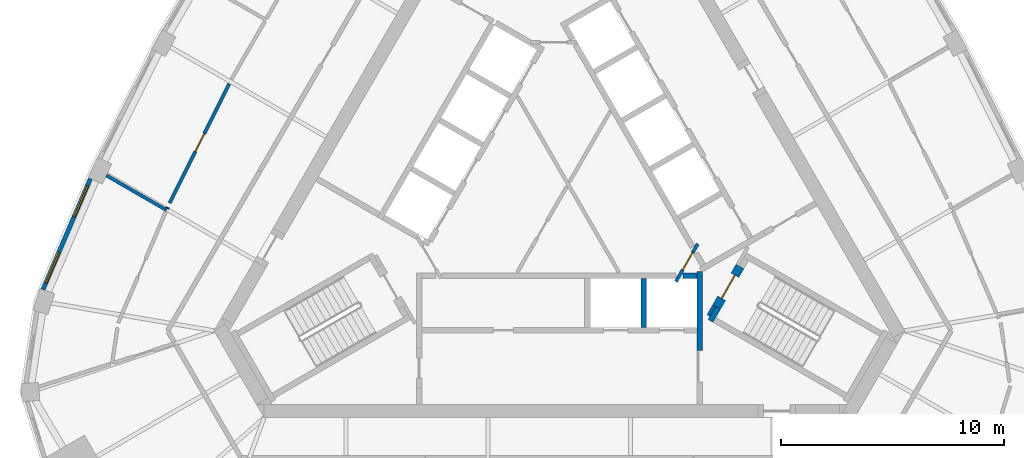
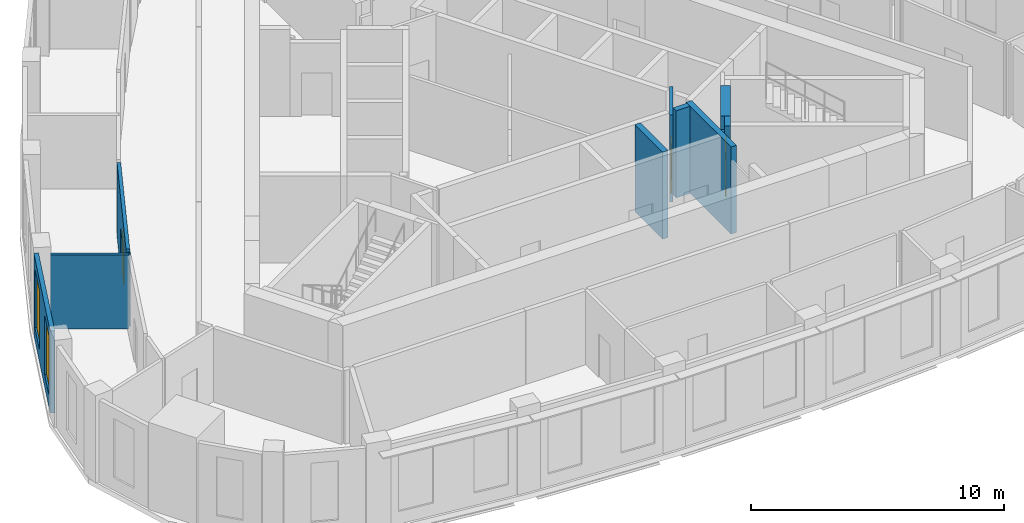
# One storey, part 4 of 10: 11 walls, 3 doors, 2 windows, 5 openings.
"""IFC4 building model written with IfcOpenShell, lengths in metres."""

import ifcopenshell
import ifcopenshell.guid

model = None  # the IFC model being written
_history = None  # IfcOwnerHistory: only IFC2X3 demands one
_inside = {}  # id of a spatial element -> (the spatial element, [elements in it])
_under = {}  # id of a project, library or spatial element -> (it, [spatial elements below it])
_declared = {}  # id of a project -> (the project, [libraries it declares])
_typed = {}  # id of a type object -> (the type object, [elements of that type])
_made_of = {}  # id of a material, layer set ... -> (it, [elements and type objects made of it])


def new_model(schema):
    """Start an empty IFC model of exactly this schema.

    Asked for "IFC4X3", IfcOpenShell would pick the latest addendum, in which some entities
    have other attributes; the version numbers below select the first issue.
    IFC2X3 requires an IfcOwnerHistory on every rooted entity: one is made here for all.
    """
    global model, _history
    if schema == "IFC4X3":
        model = ifcopenshell.file(schema_version=(4, 3, 0, 0))
    else:
        model = ifcopenshell.file(schema=schema)
    _inside.clear()
    _under.clear()
    _declared.clear()
    _typed.clear()
    _made_of.clear()
    _history = None
    if model.schema == "IFC2X3":
        org = make("IfcOrganization", Name="unknown")
        user = make(
            "IfcPersonAndOrganization",
            ThePerson=make("IfcPerson", FamilyName="unknown"),
            TheOrganization=org,
        )
        app = make(
            "IfcApplication",
            ApplicationDeveloper=org,
            Version="unknown",
            ApplicationFullName="unknown",
            ApplicationIdentifier="unknown",
        )
        _history = make(
            "IfcOwnerHistory",
            OwningUser=user,
            OwningApplication=app,
            ChangeAction="ADDED",
            CreationDate=0,
        )
    return model


def make(cls, **values):
    """One entity of the class cls with the attributes given. An attribute that is None is left unset."""
    return model.create_entity(
        cls, **{name: value for name, value in values.items() if value is not None}
    )


def rooted(cls, **values):
    """An entity with a GlobalId (a new one), such as an element, a storey or a relation."""
    return make(cls, GlobalId=ifcopenshell.guid.new(), OwnerHistory=_history, **values)


def si_unit(unit_type, name, prefix=None):
    """IfcSIUnit, for example si_unit("LENGTHUNIT", "METRE", prefix="MILLI")."""
    return make("IfcSIUnit", UnitType=unit_type, Prefix=prefix, Name=name)


def assignment(units):
    """IfcUnitAssignment: the units of a project."""
    return None if units is None else make("IfcUnitAssignment", Units=units)


def point(xyz):
    """IfcCartesianPoint."""
    return None if xyz is None else make("IfcCartesianPoint", Coordinates=xyz)


def direction(xyz):
    """IfcDirection."""
    return None if xyz is None else make("IfcDirection", DirectionRatios=xyz)


def frame(location, z_axis=None, x_axis=None):
    """IfcAxis2Placement3D, a coordinate frame: its origin and axes. An axis left out is left unset."""
    return make(
        "IfcAxis2Placement3D",
        Location=point(location),
        Axis=direction(z_axis),
        RefDirection=direction(x_axis),
    )


def frame_2d(location, x_axis=None):
    """IfcAxis2Placement2D, a coordinate frame in the plane: its origin and x axis."""
    return make(
        "IfcAxis2Placement2D", Location=point(location), RefDirection=direction(x_axis)
    )


def origin():
    """The frame at (0, 0, 0) with its axes left unset."""
    return frame((0.0, 0.0, 0.0))


def place(relative_to, where):
    """IfcLocalPlacement: puts the frame where relative to a parent placement (None: the world)."""
    return make(
        "IfcLocalPlacement", PlacementRelTo=relative_to, RelativePlacement=where
    )


def context(
    kind, dimensions, precision=None, world=None, true_north=None, identifier=None
):
    """IfcGeometricRepresentationContext, for example the 3D "Model" context."""
    return make(
        "IfcGeometricRepresentationContext",
        ContextIdentifier=identifier,
        ContextType=kind,
        CoordinateSpaceDimension=dimensions,
        Precision=precision,
        WorldCoordinateSystem=world,
        TrueNorth=true_north,
    )


def subcontext(parent, identifier, kind, view, scale=None):
    """IfcGeometricRepresentationSubContext, for example "Body" below "Model"."""
    return make(
        "IfcGeometricRepresentationSubContext",
        ContextIdentifier=identifier,
        ContextType=kind,
        ParentContext=parent,
        TargetScale=scale,
        TargetView=view,
    )


def project(units=None, contexts=None):
    """IfcProject with its units and contexts."""
    return rooted(
        "IfcProject",
        Name="project",
        RepresentationContexts=contexts,
        UnitsInContext=assignment(units),
    )


def spatial(cls, under=None, at=None, **own):
    """A site, building, storey or space (cls), placed at a placement, below another one or the project."""
    s = rooted(cls, ObjectPlacement=at, **own)
    if under is not None:
        _under.setdefault(under.id(), (under, []))[1].append(s)
    return s


def profile(cls, at=None, kind="AREA", **sizes):
    """A parametric profile (cls). Its sizes go by their IFC names, for example OverallWidth=200.0."""
    return make(cls, ProfileType=kind, Position=at, **sizes)


def rectangle(**sizes):
    """IfcRectangleProfileDef."""
    return profile("IfcRectangleProfileDef", **sizes)


def extrude(swept, where, along, depth):
    """IfcExtrudedAreaSolid: the profile swept, set in the frame where, extruded along a direction by depth."""
    return make(
        "IfcExtrudedAreaSolid",
        SweptArea=swept,
        Position=where,
        ExtrudedDirection=direction(along),
        Depth=depth,
    )


def shape(context_of_items, identifier, shape_type, items):
    """IfcShapeRepresentation: the items that make up one representation, for example the "Body"."""
    return make(
        "IfcShapeRepresentation",
        ContextOfItems=context_of_items,
        RepresentationIdentifier=identifier,
        RepresentationType=shape_type,
        Items=items,
    )


def material(Name=None, Category=None):
    """IfcMaterial."""
    return make("IfcMaterial", Name=Name, Category=Category)


def layer(
    of_material, thickness, ventilated=None, Name=None, Category=None, Priority=None
):
    """IfcMaterialLayer: one layer of a wall or slab, of a material (None: an air gap)."""
    return make(
        "IfcMaterialLayer",
        Material=of_material,
        LayerThickness=thickness,
        IsVentilated=ventilated,
        Name=Name,
        Category=Category,
        Priority=Priority,
    )


def layer_set(layers, Name=None):
    """IfcMaterialLayerSet."""
    return make("IfcMaterialLayerSet", MaterialLayers=layers, LayerSetName=Name)


def made_of(thing, what):
    """Note that an element or type object is made of a material, layer set ...; save() writes the relation."""
    if what is not None:
        _made_of.setdefault(what.id(), (what, []))[1].append(thing)
    return thing


def type_object(cls, material=None, **own):
    """A type object (cls), such as IfcWallType, which elements share."""
    return made_of(rooted(cls, **own), material)


def element(
    cls,
    number,
    at=None,
    inside=None,
    cuts=None,
    type_object=None,
    material=None,
    context=None,
    identifier="Body",
    shape_type=None,
    held_by="IfcProductDefinitionShape",
    body=None,
    shapes=None,
    **own,
):
    """One element of the class cls, such as IfcWall. Its Tag is "e" and its number.

    at: its placement. inside: the storey or other place that contains it. cuts: it is an
    opening in that element (IfcRelVoidsElement). A single representation is given by context,
    identifier, shape_type and body (its items); several are given by shapes. held_by: the class
    of the entity that holds the representations. save() writes the other relations.
    """
    e = rooted(cls, Tag="e%d" % number, ObjectPlacement=at, **own)
    if body is not None:
        shapes = [shape(context, identifier, shape_type, body)]
    if shapes is not None:
        e.Representation = make(held_by, Representations=shapes)
    if inside is not None:
        _inside.setdefault(inside.id(), (inside, []))[1].append(e)
    if cuts is not None:
        rooted(
            "IfcRelVoidsElement", RelatingBuildingElement=cuts, RelatedOpeningElement=e
        )
    if type_object is not None:
        _typed.setdefault(type_object.id(), (type_object, []))[1].append(e)
    return made_of(e, material)


def fill(opening, filler):
    """IfcRelFillsElement: the door or window that sits in an opening."""
    return rooted(
        "IfcRelFillsElement",
        RelatingOpeningElement=opening,
        RelatedBuildingElement=filler,
    )


def aggregate(whole, parts):
    """IfcRelAggregates: a whole, such as a stair, and the parts it consists of."""
    return rooted("IfcRelAggregates", RelatingObject=whole, RelatedObjects=parts)


def save(model, path):
    """Write the relations noted so far, then the file.

    IfcRelAggregates (storeys below a building ...), IfcRelContainedInSpatialStructure (elements
    in a storey), IfcRelDefinesByType, IfcRelAssociatesMaterial and IfcRelDeclares: one each for
    every whole, place, type object, material and project.
    """
    for whole, parts in _under.values():
        aggregate(whole, parts)
    for where, things in _inside.values():
        rooted(
            "IfcRelContainedInSpatialStructure",
            RelatedElements=things,
            RelatingStructure=where,
        )
    for kind, things in _typed.values():
        rooted("IfcRelDefinesByType", RelatedObjects=things, RelatingType=kind)
    for what, things in _made_of.values():
        rooted("IfcRelAssociatesMaterial", RelatedObjects=things, RelatingMaterial=what)
    for by, libraries in _declared.values():
        rooted("IfcRelDeclares", RelatingContext=by, RelatedDefinitions=libraries)
    model.write(path)


model = new_model("IFC4")

# Units and contexts
model_context = context("Model", 3, precision=1e-05, world=origin(), true_north=direction((0.0, 1.0)))
body_context = subcontext(model_context, "Body", "Model", "MODEL_VIEW")
ifc_project = project(units=[si_unit("LENGTHUNIT", "METRE"), si_unit("AREAUNIT", "SQUARE_METRE"), si_unit("VOLUMEUNIT", "CUBIC_METRE"), si_unit("PLANEANGLEUNIT", "RADIAN"), si_unit("MASSUNIT", "GRAM", prefix="KILO")], contexts=[model_context])

# Site, building, storey
site_placement = place(None, origin())
site = spatial("IfcSite", under=ifc_project, at=site_placement, CompositionType="ELEMENT")
building_placement = place(site_placement, origin())
building = spatial("IfcBuilding", under=site, at=building_placement, Name="Mestral Congress Tower", CompositionType="ELEMENT")
storey_placement = place(building_placement, frame((0.0, 0.0, 275.39990234375)))
storey = spatial("IfcBuildingStorey", under=building, at=storey_placement, Name="L64", CompositionType="ELEMENT", Elevation=275.39990234375)

# Wall
ifc_material_1 = material(Name="Fire-rated board partition")
ifc_layer_1 = layer(ifc_material_1, 0.14990234375)
ifc_layer_set_1 = layer_set([ifc_layer_1], Name="Fire-rated board partition")
wall_type_1 = type_object("IfcWallType", Name="Core partition 150", PredefinedType="PARTITIONING", material=ifc_layer_set_1)
wall_1_placement = place(storey_placement, frame((6.94482421875, -5.22216796875, 0.0), z_axis=(0.0, 0.0, 1.0), x_axis=(-0.499818422106, -0.866130212453, 0.0)))
element("IfcWall", 1, at=wall_1_placement, inside=storey, type_object=wall_type_1, Name="L64 core wall", PredefinedType="PARTITIONING", context=body_context, shape_type="SweptSolid", body=[
    extrude(rectangle(XDim=0.513916015625, YDim=0.14990234375, at=frame_2d((0.2568359375, 0.0))), origin(), (0.0, 0.0, 1.0), 3.550048828125),
])

# Wall, openings, windows
ifc_material_2 = material(Name="Precast concrete C40/50 with limestone facing", Category="masonry")
ifc_layer_2 = layer(ifc_material_2, 0.18994140625)
ifc_layer_set_2 = layer_set([ifc_layer_2], Name="Precast concrete C40/50 with limestone facing")
wall_type_2 = type_object("IfcWallType", Name="Facade stone wall 190", PredefinedType="SOLIDWALL", material=ifc_layer_set_2)
wall_2_placement = place(storey_placement, frame((-21.048828125, 0.477783203125, 0.0), z_axis=(0.0, 0.0, 1.0), x_axis=(-0.393347848476, -0.919389726992, 0.0)))
wall_2 = element("IfcWall", 2, at=wall_2_placement, inside=storey, type_object=wall_type_2, Name="Facade wall F2-04", PredefinedType="SOLIDWALL", context=body_context, shape_type="SweptSolid", body=[
    extrude(rectangle(XDim=5.414794921875, YDim=0.18994140625, at=frame_2d((2.70751953125, 0.0))), origin(), (0.0, 0.0, 1.0), 3.9501953125),
])
opening_1_placement = place(wall_2_placement, frame((0.357421875, 0.0, 0.60009765625)))
opening_1 = element("IfcOpeningElement", 3, at=opening_1_placement, cuts=wall_2, Name="Opening W6", PredefinedType="OPENING", context=body_context, shape_type="SweptSolid", body=[
    extrude(rectangle(XDim=1.5, YDim=2.85009765625, at=frame_2d((0.75, 1.425048828125))), frame((0.0, 0.10498046875, 0.0), z_axis=(0.0, -1.0, 0.0), x_axis=(1.0, 0.0, 0.0)), (0.0, 0.0, 1.0), 0.2099609375),
])
opening_2_placement = place(wall_2_placement, frame((3.592529296875, 0.0, 0.60009765625)))
opening_2 = element("IfcOpeningElement", 4, at=opening_2_placement, cuts=wall_2, Name="Opening W6", PredefinedType="OPENING", context=body_context, shape_type="SweptSolid", body=[
    extrude(rectangle(XDim=1.5, YDim=2.85009765625, at=frame_2d((0.75, 1.425048828125))), frame((0.0, 0.10498046875, 0.0), z_axis=(0.0, -1.0, 0.0), x_axis=(1.0, 0.0, 0.0)), (0.0, 0.0, 1.0), 0.2099609375),
])
ifc_material_3 = material(Name="Clear low-emissivity double glazing", Category="glass")
window_type = type_object("IfcWindowType", Name="Facade punched window 1500 x 2850 sill 600", PartitioningType="SINGLE_PANEL", PredefinedType="WINDOW", material=ifc_material_3)
window_1_placement = place(opening_1_placement, origin())
window_1 = element("IfcWindow", 5, at=window_1_placement, inside=storey, type_object=window_type, Name="Window F2-04a", OverallHeight=2.85009765625, OverallWidth=1.5, PartitioningType="SINGLE_PANEL", PredefinedType="WINDOW", context=body_context, shape_type="SweptSolid", body=[
    extrude(rectangle(XDim=1.5, YDim=2.85009765625, at=frame_2d((0.75, 1.425048828125))), frame((0.0, 0.044921875, 0.0), z_axis=(0.0, -1.0, 0.0), x_axis=(1.0, 0.0, 0.0)), (0.0, 0.0, 1.0), 0.06005859375),
])
fill(opening_1, window_1)
window_2_placement = place(opening_2_placement, origin())
window_2 = element("IfcWindow", 6, at=window_2_placement, inside=storey, type_object=window_type, Name="Window F2-04b", OverallHeight=2.85009765625, OverallWidth=1.5, PartitioningType="SINGLE_PANEL", PredefinedType="WINDOW", context=body_context, shape_type="SweptSolid", body=[
    extrude(rectangle(XDim=1.5, YDim=2.85009765625, at=frame_2d((0.75, 1.425048828125))), frame((0.0, 0.044921875, 0.0), z_axis=(0.0, -1.0, 0.0), x_axis=(1.0, 0.0, 0.0)), (0.0, 0.0, 1.0), 0.06005859375),
])
fill(opening_2, window_2)

# Wall
ifc_material_4 = material(Name="Plasterboard partition on steel studs", Category="steel")
ifc_layer_3 = layer(ifc_material_4, 0.14990234375)
ifc_layer_set_3 = layer_set([ifc_layer_3], Name="Plasterboard partition on steel studs")
wall_type_3 = type_object("IfcWallType", Name="Office partition 150", PredefinedType="PARTITIONING", material=ifc_layer_set_3)
wall_3_placement = place(storey_placement, frame((-17.634521484375, -0.935546875, 0.0), z_axis=(0.0, 0.0, 1.0), x_axis=(-0.866044607523, 0.499966736674, 0.0)))
element("IfcWall", 7, at=wall_3_placement, inside=storey, type_object=wall_type_3, Name="Partition", PredefinedType="PARTITIONING", context=body_context, shape_type="SweptSolid", body=[
    extrude(rectangle(XDim=3.114501953125, YDim=0.14990234375, at=frame_2d((1.55712890625, 0.0))), origin(), (0.0, 0.0, 1.0), 3.550048828125),
])

# Wall, opening, door
wall_4_placement = place(storey_placement, frame((-17.49658203125, -0.61328125, 0.0), z_axis=(0.0, 0.0, 1.0), x_axis=(0.447474899467, 0.894296491297, 0.0)))
wall_4 = element("IfcWall", 8, at=wall_4_placement, inside=storey, type_object=wall_type_3, Name="Partition", PredefinedType="PARTITIONING", context=body_context, shape_type="SweptSolid", body=[
    extrude(rectangle(XDim=5.979248046875, YDim=0.14990234375, at=frame_2d((2.98974609375, 0.0))), origin(), (0.0, 0.0, 1.0), 3.550048828125),
])
opening_3_placement = place(wall_4_placement, frame((2.57958984375, 0.0, 0.0)))
opening_3 = element("IfcOpeningElement", 9, at=opening_3_placement, cuts=wall_4, Name="Opening O11-016", PredefinedType="OPENING", context=body_context, shape_type="SweptSolid", body=[
    extrude(rectangle(XDim=0.89990234375, YDim=2.10009765625, at=frame_2d((0.449951171875, 1.050048828125))), frame((0.0, 0.0849609375, 0.0), z_axis=(0.0, -1.0, 0.0), x_axis=(1.0, 0.0, 0.0)), (0.0, 0.0, 1.0), 0.169921875),
])
ifc_material_5 = material(Name="Timber door set", Category="wood")
door_type_1 = type_object("IfcDoorType", Name="Office door 900x2100", OperationType="SINGLE_SWING_LEFT", PredefinedType="DOOR", material=ifc_material_5)
door_1_placement = place(opening_3_placement, origin())
door_1 = element("IfcDoor", 10, at=door_1_placement, inside=storey, type_object=door_type_1, Name="Door O11-016", OperationType="SINGLE_SWING_RIGHT", OverallHeight=2.10009765625, OverallWidth=0.89990234375, PredefinedType="DOOR", context=body_context, shape_type="SweptSolid", body=[
    extrude(rectangle(XDim=0.89990234375, YDim=2.10009765625, at=frame_2d((0.449951171875, 1.050048828125))), frame((0.0, 0.02490234375, 0.0), z_axis=(0.0, -1.0, 0.0), x_axis=(1.0, 0.0, 0.0)), (0.0, 0.0, 1.0), 0.050048828125),
])
fill(opening_3, door_1)

# Walls
wall_5_placement = place(storey_placement, frame((-17.5810546875, -0.810302734375, 0.0), z_axis=(0.0, 0.0, 1.0), x_axis=(-0.390033474923, -0.92080067791, 0.0)))
element("IfcWall", 11, at=wall_5_placement, inside=storey, type_object=wall_type_3, Name="Partition", PredefinedType="PARTITIONING", context=body_context, shape_type="SweptSolid", body=[
    extrude(rectangle(XDim=0.060791015625, YDim=0.14990234375, at=frame_2d((0.0302734375, 0.0))), origin(), (0.0, 0.0, 1.0), 3.550048828125),
])
ifc_material_6 = material(Name="Concrete C60/75", Category="concrete")
ifc_layer_4 = layer(ifc_material_6, 0.25)
ifc_layer_set_4 = layer_set([ifc_layer_4], Name="Concrete C60/75")
wall_type_4 = type_object("IfcWallType", Name="Shaft wall RC 250", PredefinedType="SOLIDWALL", material=ifc_layer_set_4)
wall_6_placement = place(storey_placement, frame((6.300048828125, -7.239990234375, 0.0), z_axis=(0.0, 0.0, 1.0), x_axis=(0.0, 1.0, 0.0)))
element("IfcWall", 12, at=wall_6_placement, inside=storey, type_object=wall_type_4, Name="L64 core wall", PredefinedType="SOLIDWALL", context=body_context, shape_type="SweptSolid", body=[
    extrude(rectangle(XDim=3.55615234375, YDim=0.25, at=frame_2d((1.778076171875, 0.0))), origin(), (0.0, 0.0, 1.0), 4.2001953125),
])
wall_7_placement = place(storey_placement, frame((5.538330078125, -3.875, 0.0), z_axis=(0.0, 0.0, 1.0), x_axis=(1.0, 0.0, 0.0)))
element("IfcWall", 13, at=wall_7_placement, inside=storey, type_object=wall_type_4, Name="L64 core wall", PredefinedType="SOLIDWALL", context=body_context, shape_type="SweptSolid", body=[
    extrude(rectangle(XDim=0.63671875, YDim=0.25, at=frame_2d((0.318359375, 0.0))), origin(), (0.0, 0.0, 1.0), 4.2001953125),
])
wall_8_placement = place(storey_placement, frame((3.780029296875, -4.0, 0.0), z_axis=(0.0, 0.0, 1.0), x_axis=(0.0, -1.0, 0.0)))
element("IfcWall", 14, at=wall_8_placement, inside=storey, type_object=wall_type_4, Name="L64 core wall", PredefinedType="SOLIDWALL", context=body_context, shape_type="SweptSolid", body=[
    extrude(rectangle(XDim=2.199951171875, YDim=0.25, at=frame_2d((1.10009765625, 0.0))), origin(), (0.0, 0.0, 1.0), 4.2001953125),
])

# Wall, opening, door
ifc_layer_5 = layer(ifc_material_6, 0.14990234375)
ifc_layer_set_5 = layer_set([ifc_layer_5], Name="Concrete C60/75")
wall_type_5 = type_object("IfcWallType", Name="Shaft wall RC 250 door-wall 150", PredefinedType="SOLIDWALL", material=ifc_layer_set_5)
wall_9_placement = place(storey_placement, frame((6.203369140625, -2.45556640625, 0.0), z_axis=(0.0, 0.0, 1.0), x_axis=(-0.500043961785, -0.866000020948, 0.0)))
wall_9 = element("IfcWall", 15, at=wall_9_placement, inside=storey, type_object=wall_type_5, Name="L64 door wall", PredefinedType="PARTITIONING", context=body_context, shape_type="SweptSolid", body=[
    extrude(rectangle(XDim=1.949951171875, YDim=0.14990234375, at=frame_2d((0.97509765625, 0.0))), origin(), (0.0, 0.0, 1.0), 4.2001953125),
])
opening_4_placement = place(wall_9_placement, frame((0.449951171875, 0.0, 0.0)))
opening_4 = element("IfcOpeningElement", 16, at=opening_4_placement, cuts=wall_9, Name="Opening CD1-HUB0", PredefinedType="OPENING", context=body_context, shape_type="SweptSolid", body=[
    extrude(rectangle(XDim=0.89990234375, YDim=2.10009765625, at=frame_2d((0.449951171875, 1.050048828125))), frame((0.0, 0.0849609375, 0.0), z_axis=(0.0, -1.0, 0.0), x_axis=(1.0, 0.0, 0.0)), (0.0, 0.0, 1.0), 0.169921875),
])
ifc_material_7 = material(Name="Fire-rated steel door set", Category="steel")
door_type_2 = type_object("IfcDoorType", Name="Core door CD 900x2100", OperationType="SINGLE_SWING_LEFT", PredefinedType="DOOR", material=ifc_material_7)
door_2_placement = place(opening_4_placement, origin())
door_2 = element("IfcDoor", 17, at=door_2_placement, inside=storey, type_object=door_type_2, Name="Door CD1-HUB0", OperationType="SINGLE_SWING_LEFT", OverallHeight=2.10009765625, OverallWidth=0.89990234375, PredefinedType="DOOR", context=body_context, shape_type="SweptSolid", body=[
    extrude(rectangle(XDim=0.89990234375, YDim=2.10009765625, at=frame_2d((0.449951171875, 1.050048828125))), frame((0.0, 0.02490234375, 0.0), z_axis=(0.0, -1.0, 0.0), x_axis=(1.0, 0.0, 0.0)), (0.0, 0.0, 1.0), 0.050048828125),
])
fill(opening_4, door_2)

# Wall
ifc_layer_6 = layer(ifc_material_6, 0.25)
ifc_layer_set_6 = layer_set([ifc_layer_6], Name="Concrete C60/75")
wall_type_6 = type_object("IfcWallType", Name="Stair wall RC 250", PredefinedType="SOLIDWALL", material=ifc_layer_set_6)
wall_10_placement = place(storey_placement, frame((6.780029296875, -5.906494140625, 0.0), z_axis=(0.0, 0.0, 1.0), x_axis=(0.500223362819, 0.865896406789, 0.0)))
element("IfcWall", 18, at=wall_10_placement, inside=storey, type_object=wall_type_6, Name="L64 core wall", PredefinedType="SOLIDWALL", context=body_context, shape_type="SweptSolid", body=[
    extrude(rectangle(XDim=0.675048828125, YDim=0.25, at=frame_2d((0.33740234375, 0.0))), origin(), (0.0, 0.0, 1.0), 4.2001953125),
])

# Wall, opening, door
ifc_layer_7 = layer(ifc_material_6, 0.39990234375)
ifc_layer_set_7 = layer_set([ifc_layer_7], Name="Concrete C60/75")
wall_type_7 = type_object("IfcWallType", Name="Stair wall RC 250 door-wall 400", PredefinedType="SOLIDWALL", material=ifc_layer_set_7)
wall_11_placement = place(storey_placement, frame((7.052734375, -5.2841796875, 0.0), z_axis=(0.0, 0.0, 1.0), x_axis=(0.500078061341, 0.865980330357, 0.0)))
wall_11 = element("IfcWall", 19, at=wall_11_placement, inside=storey, type_object=wall_type_7, Name="L64 door wall", PredefinedType="SOLIDWALL", context=body_context, shape_type="SweptSolid", body=[
    extrude(rectangle(XDim=2.099853515625, YDim=0.39990234375, at=frame_2d((1.0498046875, 0.0))), origin(), (0.0, 0.0, 1.0), 4.2001953125),
])
opening_5_placement = place(wall_11_placement, frame((0.449951171875, 0.0, 0.0)))
opening_5 = element("IfcOpeningElement", 20, at=opening_5_placement, cuts=wall_11, Name="Opening ST-D1", PredefinedType="OPENING", context=body_context, shape_type="SweptSolid", body=[
    extrude(rectangle(XDim=1.199951171875, YDim=2.10009765625, at=frame_2d((0.60009765625, 1.050048828125))), frame((0.0, 0.2099609375, 0.0), z_axis=(0.0, -1.0, 0.0), x_axis=(1.0, 0.0, 0.0)), (0.0, 0.0, 1.0), 0.419921875),
])
door_type_3 = type_object("IfcDoorType", Name="Core door ST 1200x2100", OperationType="SINGLE_SWING_LEFT", PredefinedType="DOOR", material=ifc_material_7)
door_3_placement = place(opening_5_placement, origin())
door_3 = element("IfcDoor", 21, at=door_3_placement, inside=storey, type_object=door_type_3, Name="Door ST-D1", OperationType="SINGLE_SWING_LEFT", OverallHeight=2.10009765625, OverallWidth=1.199951171875, PredefinedType="DOOR", context=body_context, shape_type="SweptSolid", body=[
    extrude(rectangle(XDim=1.199951171875, YDim=2.10009765625, at=frame_2d((0.60009765625, 1.050048828125))), frame((0.0, 0.02490234375, 0.0), z_axis=(0.0, -1.0, 0.0), x_axis=(1.0, 0.0, 0.0)), (0.0, 0.0, 1.0), 0.050048828125),
])
fill(opening_5, door_3)

save(model, "model.ifc")
